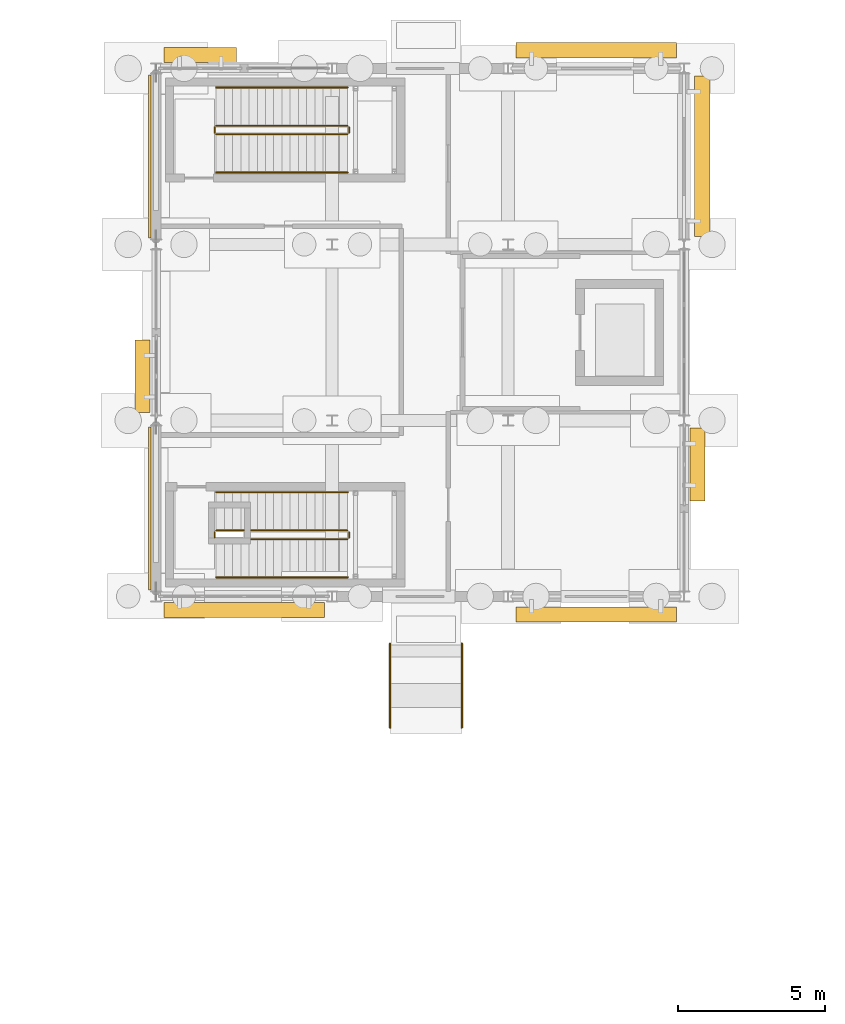
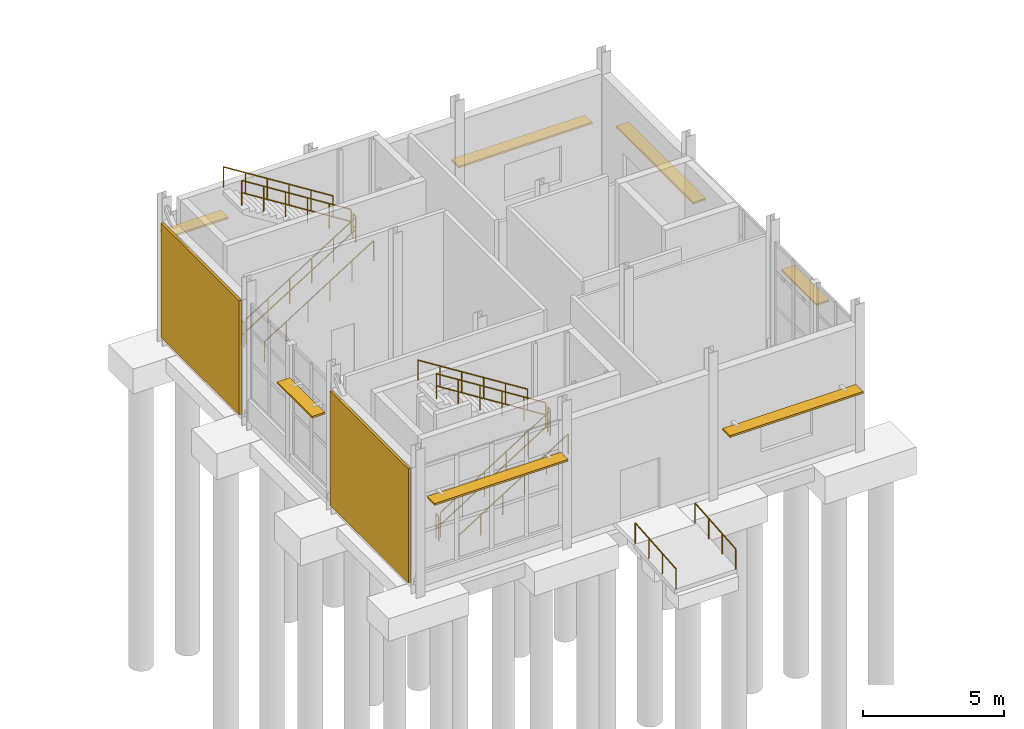
# One storey, part 116 of 120: 14 railings, 7 shading devices, 2 coverings.
"""IFC4 building model written with IfcOpenShell, lengths in metres."""

from ifc_helpers import new_model, si_unit, direction, frame, origin, origin_2d, place, context, subcontext, project, spatial, rectangle, circle, extrude, material, layer, layer_set, type_object, element, save


model = new_model("IFC4")

# Units and contexts
model_context = context("Model", 3, precision=1e-05, world=origin(), true_north=direction((0.0, 1.0)))
body_context = subcontext(model_context, "Body", "Model", "MODEL_VIEW")
ifc_project = project(units=[si_unit("LENGTHUNIT", "METRE"), si_unit("AREAUNIT", "SQUARE_METRE"), si_unit("VOLUMEUNIT", "CUBIC_METRE"), si_unit("PLANEANGLEUNIT", "RADIAN"), si_unit("MASSUNIT", "GRAM", prefix="KILO")], contexts=[model_context])

# Site, building, storey
site_placement = place(None, origin())
site = spatial("IfcSite", under=ifc_project, at=site_placement, CompositionType="ELEMENT")
building_placement = place(site_placement, origin())
building = spatial("IfcBuilding", under=site, at=building_placement, Name="Siltcreek Boulevard Central Fire Station", CompositionType="ELEMENT")
storey_placement = place(building_placement, origin())
storey = spatial("IfcBuildingStorey", under=building, at=storey_placement, Name="L01", CompositionType="ELEMENT", Elevation=0.0)

# Coverings
ifc_material_1 = material(Name="Sandblasted terracotta red brick veneer", Category="masonry")
ifc_layer_1 = layer(ifc_material_1, 0.090087890625, Name="Sandblasted terracotta red brick veneer")
ifc_layer_set_1 = layer_set([ifc_layer_1], Name="Sandblasted terracotta red brick veneer")
covering_type = type_object("IfcCoveringType", Name="COV_CLAD_BRICK", PredefinedType="CLADDING", material=ifc_layer_set_1)
for number, where, z_axis, x_axis, name in (
    (1, (41.781982421875, 97.199951171875, 0.0498046875), (0.0, 0.0, 1.0), (0.0, -1.0, 0.0), "L01 V3 ventilated facade cladding panel CL-008"),
    (2, (41.781982421875, 109.199951171875, 0.0498046875), (0.0, 0.0, 1.0), (0.0, -1.0, 0.0), "L01 V3 ventilated facade cladding panel CL-009"),
):
    element("IfcCovering", number, at=place(storey_placement, frame(where, z_axis=z_axis, x_axis=x_axis)), inside=storey, type_object=covering_type, Name=name, PredefinedType="CLADDING", context=body_context, shape_type="SweptSolid", body=[
        extrude(rectangle(XDim=5.550048828125, YDim=0.090087890625, at=origin_2d()), origin(), (0.0, 0.0, 1.0), 4.944091796875),
    ])

# Railings
ifc_material_2 = material(Name="Painted galvanized steel stair guard", Category="steel")
railing_type_1 = type_object("IfcRailingType", Name="RL_ST_GUARD", PredefinedType="BALUSTRADE", material=ifc_material_2)
railing_1_placement = place(storey_placement, frame((44.050048828125, 96.14990234375, 0.176513671875)))
element("IfcRailing", 3, at=railing_1_placement, inside=storey, type_object=railing_type_1, Name="L01 ST-V3A stair guard 1", PredefinedType="BALUSTRADE", context=body_context, shape_type="SweptSolid", body=[
    extrude(circle(Radius=0.02392578125, at=origin_2d()), frame((0.0, 0.0, 1.076171875), z_axis=(0.845997938375, 0.0, 0.533186166611), x_axis=(0.0, 1.0, 0.0)), (0.0, 0.0, 1.0), 5.29541015625),
    extrude(circle(Radius=0.02392578125, at=origin_2d()), frame((0.0, 0.0, 0.550048828125), z_axis=(0.845997938375, 0.0, 0.533186166611), x_axis=(0.0, 1.0, 0.0)), (0.0, 0.0, 1.0), 5.29541015625),
    extrude(circle(Radius=0.02099609375, at=origin_2d()), origin(), (0.0, 0.0, 1.0), 1.052001953125),
    extrude(circle(Radius=0.02099609375, at=origin_2d()), frame((0.89599609375, 0.0, 0.564697265625)), (0.0, 0.0, 1.0), 1.052001953125),
    extrude(circle(Radius=0.02099609375, at=origin_2d()), frame((1.7919921875, 0.0, 1.12939453125)), (0.0, 0.0, 1.0), 1.052001953125),
    extrude(circle(Radius=0.02099609375, at=origin_2d()), frame((2.68798828125, 0.0, 1.694091796875)), (0.0, 0.0, 1.0), 1.052001953125),
    extrude(circle(Radius=0.02099609375, at=origin_2d()), frame((3.583984375, 0.0, 2.2587890625)), (0.0, 0.0, 1.0), 1.052001953125),
    extrude(circle(Radius=0.02099609375, at=origin_2d()), frame((4.47998046875, 0.0, 2.823486328125)), (0.0, 0.0, 1.0), 1.052001953125),
])
railing_2_placement = place(storey_placement, frame((48.580078125, 96.199951171875, 3.0)))
element("IfcRailing", 4, at=railing_2_placement, inside=storey, type_object=railing_type_1, Name="L01 ST-V3A stair guard 2", PredefinedType="BALUSTRADE", context=body_context, shape_type="SweptSolid", body=[
    extrude(circle(Radius=0.02392578125, at=origin_2d()), frame((0.0, 0.0, 1.076171875), z_axis=(0.0, 1.0, 0.0), x_axis=(-1.0, 0.0, 0.0)), (0.0, 0.0, 1.0), 0.199951171875),
    extrude(circle(Radius=0.02392578125, at=origin_2d()), frame((0.0, 0.0, 0.550048828125), z_axis=(0.0, 1.0, 0.0), x_axis=(-1.0, 0.0, 0.0)), (0.0, 0.0, 1.0), 0.199951171875),
    extrude(circle(Radius=0.02099609375, at=origin_2d()), origin(), (0.0, 0.0, 1.0), 1.052001953125),
    extrude(circle(Radius=0.02099609375, at=origin_2d()), frame((0.0, 0.199951171875, 0.0)), (0.0, 0.0, 1.0), 1.052001953125),
])
railing_3_placement = place(storey_placement, frame((48.530029296875, 96.449951171875, 3.176513671875)))
element("IfcRailing", 5, at=railing_3_placement, inside=storey, type_object=railing_type_1, Name="L01 ST-V3A stair guard 3", PredefinedType="BALUSTRADE", context=body_context, shape_type="SweptSolid", body=[
    extrude(circle(Radius=0.02392578125, at=origin_2d()), frame((0.0, 0.0, 1.076171875), z_axis=(-0.845997938375, 0.0, 0.533186166611), x_axis=(0.0, -1.0, 0.0)), (0.0, 0.0, 1.0), 5.29541015625),
    extrude(circle(Radius=0.02392578125, at=origin_2d()), frame((0.0, 0.0, 0.550048828125), z_axis=(-0.845997938375, 0.0, 0.533186166611), x_axis=(0.0, -1.0, 0.0)), (0.0, 0.0, 1.0), 5.29541015625),
    extrude(circle(Radius=0.02099609375, at=origin_2d()), origin(), (0.0, 0.0, 1.0), 1.052001953125),
    extrude(circle(Radius=0.02099609375, at=origin_2d()), frame((-0.89599609375, 0.0, 0.564697265625)), (0.0, 0.0, 1.0), 1.052001953125),
    extrude(circle(Radius=0.02099609375, at=origin_2d()), frame((-1.7919921875, 0.0, 1.12939453125)), (0.0, 0.0, 1.0), 1.052001953125),
    extrude(circle(Radius=0.02099609375, at=origin_2d()), frame((-2.68798828125, 0.0, 1.694091796875)), (0.0, 0.0, 1.0), 1.052001953125),
    extrude(circle(Radius=0.02099609375, at=origin_2d()), frame((-3.583984375, 0.0, 2.2587890625)), (0.0, 0.0, 1.0), 1.052001953125),
    extrude(circle(Radius=0.02099609375, at=origin_2d()), frame((-4.47998046875, 0.0, 2.823486328125)), (0.0, 0.0, 1.0), 1.052001953125),
])
railing_4_placement = place(storey_placement, frame((44.0, 96.199951171875, 0.0)))
element("IfcRailing", 6, at=railing_4_placement, inside=storey, type_object=railing_type_1, Name="L01 ST-V3A stair guard 4", PredefinedType="BALUSTRADE", context=body_context, shape_type="SweptSolid", body=[
    extrude(circle(Radius=0.02392578125, at=origin_2d()), frame((0.0, 0.0, 1.076171875), z_axis=(0.0, 1.0, 0.0), x_axis=(-1.0, 0.0, 0.0)), (0.0, 0.0, 1.0), 0.199951171875),
    extrude(circle(Radius=0.02392578125, at=origin_2d()), frame((0.0, 0.0, 0.550048828125), z_axis=(0.0, 1.0, 0.0), x_axis=(-1.0, 0.0, 0.0)), (0.0, 0.0, 1.0), 0.199951171875),
    extrude(circle(Radius=0.02099609375, at=origin_2d()), origin(), (0.0, 0.0, 1.0), 1.052001953125),
    extrude(circle(Radius=0.02099609375, at=origin_2d()), frame((0.0, 0.199951171875, 0.0)), (0.0, 0.0, 1.0), 1.052001953125),
])
railing_5_placement = place(storey_placement, frame((44.050048828125, 109.949951171875, 0.176513671875)))
element("IfcRailing", 7, at=railing_5_placement, inside=storey, type_object=railing_type_1, Name="L01 ST-V3B stair guard 1", PredefinedType="BALUSTRADE", context=body_context, shape_type="SweptSolid", body=[
    extrude(circle(Radius=0.02392578125, at=origin_2d()), frame((0.0, 0.0, 1.076171875), z_axis=(0.845997938375, 0.0, 0.533186166611), x_axis=(0.0, 1.0, 0.0)), (0.0, 0.0, 1.0), 5.29541015625),
    extrude(circle(Radius=0.02392578125, at=origin_2d()), frame((0.0, 0.0, 0.550048828125), z_axis=(0.845997938375, 0.0, 0.533186166611), x_axis=(0.0, 1.0, 0.0)), (0.0, 0.0, 1.0), 5.29541015625),
    extrude(circle(Radius=0.02099609375, at=origin_2d()), origin(), (0.0, 0.0, 1.0), 1.052001953125),
    extrude(circle(Radius=0.02099609375, at=origin_2d()), frame((0.89599609375, 0.0, 0.564697265625)), (0.0, 0.0, 1.0), 1.052001953125),
    extrude(circle(Radius=0.02099609375, at=origin_2d()), frame((1.7919921875, 0.0, 1.12939453125)), (0.0, 0.0, 1.0), 1.052001953125),
    extrude(circle(Radius=0.02099609375, at=origin_2d()), frame((2.68798828125, 0.0, 1.694091796875)), (0.0, 0.0, 1.0), 1.052001953125),
    extrude(circle(Radius=0.02099609375, at=origin_2d()), frame((3.583984375, 0.0, 2.2587890625)), (0.0, 0.0, 1.0), 1.052001953125),
    extrude(circle(Radius=0.02099609375, at=origin_2d()), frame((4.47998046875, 0.0, 2.823486328125)), (0.0, 0.0, 1.0), 1.052001953125),
])
railing_6_placement = place(storey_placement, frame((48.580078125, 110.0, 3.0)))
element("IfcRailing", 8, at=railing_6_placement, inside=storey, type_object=railing_type_1, Name="L01 ST-V3B stair guard 2", PredefinedType="BALUSTRADE", context=body_context, shape_type="SweptSolid", body=[
    extrude(circle(Radius=0.02392578125, at=origin_2d()), frame((0.0, 0.0, 1.076171875), z_axis=(0.0, 1.0, 0.0), x_axis=(-1.0, 0.0, 0.0)), (0.0, 0.0, 1.0), 0.199951171875),
    extrude(circle(Radius=0.02392578125, at=origin_2d()), frame((0.0, 0.0, 0.550048828125), z_axis=(0.0, 1.0, 0.0), x_axis=(-1.0, 0.0, 0.0)), (0.0, 0.0, 1.0), 0.199951171875),
    extrude(circle(Radius=0.02099609375, at=origin_2d()), origin(), (0.0, 0.0, 1.0), 1.052001953125),
    extrude(circle(Radius=0.02099609375, at=origin_2d()), frame((0.0, 0.199951171875, 0.0)), (0.0, 0.0, 1.0), 1.052001953125),
])
railing_7_placement = place(storey_placement, frame((48.530029296875, 110.25, 3.176513671875)))
element("IfcRailing", 9, at=railing_7_placement, inside=storey, type_object=railing_type_1, Name="L01 ST-V3B stair guard 3", PredefinedType="BALUSTRADE", context=body_context, shape_type="SweptSolid", body=[
    extrude(circle(Radius=0.02392578125, at=origin_2d()), frame((0.0, 0.0, 1.076171875), z_axis=(-0.845997938375, 0.0, 0.533186166611), x_axis=(0.0, -1.0, 0.0)), (0.0, 0.0, 1.0), 5.29541015625),
    extrude(circle(Radius=0.02392578125, at=origin_2d()), frame((0.0, 0.0, 0.550048828125), z_axis=(-0.845997938375, 0.0, 0.533186166611), x_axis=(0.0, -1.0, 0.0)), (0.0, 0.0, 1.0), 5.29541015625),
    extrude(circle(Radius=0.02099609375, at=origin_2d()), origin(), (0.0, 0.0, 1.0), 1.052001953125),
    extrude(circle(Radius=0.02099609375, at=origin_2d()), frame((-0.89599609375, 0.0, 0.564697265625)), (0.0, 0.0, 1.0), 1.052001953125),
    extrude(circle(Radius=0.02099609375, at=origin_2d()), frame((-1.7919921875, 0.0, 1.12939453125)), (0.0, 0.0, 1.0), 1.052001953125),
    extrude(circle(Radius=0.02099609375, at=origin_2d()), frame((-2.68798828125, 0.0, 1.694091796875)), (0.0, 0.0, 1.0), 1.052001953125),
    extrude(circle(Radius=0.02099609375, at=origin_2d()), frame((-3.583984375, 0.0, 2.2587890625)), (0.0, 0.0, 1.0), 1.052001953125),
    extrude(circle(Radius=0.02099609375, at=origin_2d()), frame((-4.47998046875, 0.0, 2.823486328125)), (0.0, 0.0, 1.0), 1.052001953125),
])
railing_8_placement = place(storey_placement, frame((44.0, 110.0, 0.0)))
element("IfcRailing", 10, at=railing_8_placement, inside=storey, type_object=railing_type_1, Name="L01 ST-V3B stair guard 4", PredefinedType="BALUSTRADE", context=body_context, shape_type="SweptSolid", body=[
    extrude(circle(Radius=0.02392578125, at=origin_2d()), frame((0.0, 0.0, 1.076171875), z_axis=(0.0, 1.0, 0.0), x_axis=(-1.0, 0.0, 0.0)), (0.0, 0.0, 1.0), 0.199951171875),
    extrude(circle(Radius=0.02392578125, at=origin_2d()), frame((0.0, 0.0, 0.550048828125), z_axis=(0.0, 1.0, 0.0), x_axis=(-1.0, 0.0, 0.0)), (0.0, 0.0, 1.0), 0.199951171875),
    extrude(circle(Radius=0.02099609375, at=origin_2d()), origin(), (0.0, 0.0, 1.0), 1.052001953125),
    extrude(circle(Radius=0.02099609375, at=origin_2d()), frame((0.0, 0.199951171875, 0.0)), (0.0, 0.0, 1.0), 1.052001953125),
])
ifc_material_3 = material(Name="Brushed stainless steel stair handrail", Category="steel")
railing_type_2 = type_object("IfcRailingType", Name="RL_ST_HAND", PredefinedType="HANDRAIL", material=ifc_material_3)
railing_9_placement = place(storey_placement, frame((44.050048828125, 94.85009765625, 0.176513671875)))
element("IfcRailing", 11, at=railing_9_placement, inside=storey, type_object=railing_type_2, Name="L01 ST-V3A stair handrail 1", PredefinedType="HANDRAIL", context=body_context, shape_type="SweptSolid", body=[
    extrude(circle(Radius=0.02392578125, at=origin_2d()), frame((0.0, 0.0, 0.8759765625), z_axis=(0.845997938375, 0.0, 0.533186166611), x_axis=(0.0, 1.0, 0.0)), (0.0, 0.0, 1.0), 5.29541015625),
    extrude(circle(Radius=0.02099609375, at=origin_2d()), origin(), (0.0, 0.0, 1.0), 0.851806640625),
    extrude(circle(Radius=0.02099609375, at=origin_2d()), frame((0.89599609375, 0.0, 0.564697265625)), (0.0, 0.0, 1.0), 0.851806640625),
    extrude(circle(Radius=0.02099609375, at=origin_2d()), frame((1.7919921875, 0.0, 1.12939453125)), (0.0, 0.0, 1.0), 0.851806640625),
    extrude(circle(Radius=0.02099609375, at=origin_2d()), frame((2.68798828125, 0.0, 1.694091796875)), (0.0, 0.0, 1.0), 0.851806640625),
    extrude(circle(Radius=0.02099609375, at=origin_2d()), frame((3.583984375, 0.0, 2.2587890625)), (0.0, 0.0, 1.0), 0.851806640625),
    extrude(circle(Radius=0.02099609375, at=origin_2d()), frame((4.47998046875, 0.0, 2.823486328125)), (0.0, 0.0, 1.0), 0.851806640625),
])
railing_10_placement = place(storey_placement, frame((48.530029296875, 97.75, 3.176513671875)))
element("IfcRailing", 12, at=railing_10_placement, inside=storey, type_object=railing_type_2, Name="L01 ST-V3A stair handrail 2", PredefinedType="HANDRAIL", context=body_context, shape_type="SweptSolid", body=[
    extrude(circle(Radius=0.02392578125, at=origin_2d()), frame((0.0, 0.0, 0.8759765625), z_axis=(-0.845997938375, 0.0, 0.533186166611), x_axis=(0.0, -1.0, 0.0)), (0.0, 0.0, 1.0), 5.29541015625),
    extrude(circle(Radius=0.02099609375, at=origin_2d()), origin(), (0.0, 0.0, 1.0), 0.851806640625),
    extrude(circle(Radius=0.02099609375, at=origin_2d()), frame((-0.89599609375, 0.0, 0.564697265625)), (0.0, 0.0, 1.0), 0.851806640625),
    extrude(circle(Radius=0.02099609375, at=origin_2d()), frame((-1.7919921875, 0.0, 1.12939453125)), (0.0, 0.0, 1.0), 0.851806640625),
    extrude(circle(Radius=0.02099609375, at=origin_2d()), frame((-2.68798828125, 0.0, 1.694091796875)), (0.0, 0.0, 1.0), 0.851806640625),
    extrude(circle(Radius=0.02099609375, at=origin_2d()), frame((-3.583984375, 0.0, 2.2587890625)), (0.0, 0.0, 1.0), 0.851806640625),
    extrude(circle(Radius=0.02099609375, at=origin_2d()), frame((-4.47998046875, 0.0, 2.823486328125)), (0.0, 0.0, 1.0), 0.851806640625),
])
railing_11_placement = place(storey_placement, frame((44.050048828125, 108.64990234375, 0.176513671875)))
element("IfcRailing", 13, at=railing_11_placement, inside=storey, type_object=railing_type_2, Name="L01 ST-V3B stair handrail 1", PredefinedType="HANDRAIL", context=body_context, shape_type="SweptSolid", body=[
    extrude(circle(Radius=0.02392578125, at=origin_2d()), frame((0.0, 0.0, 0.8759765625), z_axis=(0.845997938375, 0.0, 0.533186166611), x_axis=(0.0, 1.0, 0.0)), (0.0, 0.0, 1.0), 5.29541015625),
    extrude(circle(Radius=0.02099609375, at=origin_2d()), origin(), (0.0, 0.0, 1.0), 0.851806640625),
    extrude(circle(Radius=0.02099609375, at=origin_2d()), frame((0.89599609375, 0.0, 0.564697265625)), (0.0, 0.0, 1.0), 0.851806640625),
    extrude(circle(Radius=0.02099609375, at=origin_2d()), frame((1.7919921875, 0.0, 1.12939453125)), (0.0, 0.0, 1.0), 0.851806640625),
    extrude(circle(Radius=0.02099609375, at=origin_2d()), frame((2.68798828125, 0.0, 1.694091796875)), (0.0, 0.0, 1.0), 0.851806640625),
    extrude(circle(Radius=0.02099609375, at=origin_2d()), frame((3.583984375, 0.0, 2.2587890625)), (0.0, 0.0, 1.0), 0.851806640625),
    extrude(circle(Radius=0.02099609375, at=origin_2d()), frame((4.47998046875, 0.0, 2.823486328125)), (0.0, 0.0, 1.0), 0.851806640625),
])
railing_12_placement = place(storey_placement, frame((48.530029296875, 111.550048828125, 3.176513671875)))
element("IfcRailing", 14, at=railing_12_placement, inside=storey, type_object=railing_type_2, Name="L01 ST-V3B stair handrail 2", PredefinedType="HANDRAIL", context=body_context, shape_type="SweptSolid", body=[
    extrude(circle(Radius=0.02392578125, at=origin_2d()), frame((0.0, 0.0, 0.8759765625), z_axis=(-0.845997938375, 0.0, 0.533186166611), x_axis=(0.0, -1.0, 0.0)), (0.0, 0.0, 1.0), 5.29541015625),
    extrude(circle(Radius=0.02099609375, at=origin_2d()), origin(), (0.0, 0.0, 1.0), 0.851806640625),
    extrude(circle(Radius=0.02099609375, at=origin_2d()), frame((-0.89599609375, 0.0, 0.564697265625)), (0.0, 0.0, 1.0), 0.851806640625),
    extrude(circle(Radius=0.02099609375, at=origin_2d()), frame((-1.7919921875, 0.0, 1.12939453125)), (0.0, 0.0, 1.0), 0.851806640625),
    extrude(circle(Radius=0.02099609375, at=origin_2d()), frame((-2.68798828125, 0.0, 1.694091796875)), (0.0, 0.0, 1.0), 0.851806640625),
    extrude(circle(Radius=0.02099609375, at=origin_2d()), frame((-3.583984375, 0.0, 2.2587890625)), (0.0, 0.0, 1.0), 0.851806640625),
    extrude(circle(Radius=0.02099609375, at=origin_2d()), frame((-4.47998046875, 0.0, 2.823486328125)), (0.0, 0.0, 1.0), 0.851806640625),
])
for number, where, name in (
    (15, (49.97509765625, 89.719970703125, -0.239990234375), "Accessible ramp RM-06 handrail L"),
    (16, (52.425048828125, 89.719970703125, -0.239990234375), "Accessible ramp RM-06 handrail R"),
):
    element("IfcRailing", number, at=place(storey_placement, frame(where)), inside=storey, type_object=railing_type_2, Name=name, PredefinedType="HANDRAIL", context=body_context, shape_type="SweptSolid", body=[
        extrude(circle(Radius=0.02392578125, at=origin_2d()), frame((0.0, 0.0, 0.8759765625), z_axis=(0.0, 0.996546340804, 0.083038488854), x_axis=(-1.0, 0.0, 0.0)), (0.0, 0.0, 1.0), 2.89013671875),
        extrude(circle(Radius=0.02099609375, at=origin_2d()), origin(), (0.0, 0.0, 1.0), 0.851806640625),
        extrude(circle(Radius=0.02099609375, at=origin_2d()), frame((0.0, 0.9599609375, 0.080078125)), (0.0, 0.0, 1.0), 0.851806640625),
        extrude(circle(Radius=0.02099609375, at=origin_2d()), frame((0.0, 1.920166015625, 0.159912109375)), (0.0, 0.0, 1.0), 0.851806640625),
        extrude(circle(Radius=0.02099609375, at=origin_2d()), frame((0.0, 2.880126953125, 0.239990234375)), (0.0, 0.0, 1.0), 0.851806640625),
    ])

# Shading devices
ifc_material_4 = material(Name="Frey sage-green anodized tubular aluminum sunshade", Category="aluminium")
ifc_layer_2 = layer(ifc_material_4, 0.080078125, Name="Frey sage-green anodized tubular aluminum sunshade")
ifc_layer_set_2 = layer_set([ifc_layer_2], Name="Frey sage-green anodized tubular aluminum sunshade")
shading_device_type = type_object("IfcShadingDeviceType", Name="SHD_BRISE", PredefinedType="USERDEFINED", material=ifc_layer_set_2)
for number, where, z_axis, x_axis, name in (
    (17, (45.0, 93.739990234375, 3.798095703125), (0.0, 0.0, 1.0), (1.0, 0.0, 0.0), "Anodized tubular aluminum brise-soleil SS-026"),
    (18, (57.0, 93.5849609375, 2.6298828125), (0.0, 0.0, 1.0), (1.0, 0.0, 0.0), "Anodized tubular aluminum brise-soleil SS-027"),
):
    element("IfcShadingDevice", number, at=place(storey_placement, frame(where, z_axis=z_axis, x_axis=x_axis)), inside=storey, type_object=shading_device_type, Name=name, ObjectType="SUNSHADE", PredefinedType="USERDEFINED", context=body_context, shape_type="SweptSolid", body=[
        extrude(rectangle(XDim=5.469970703125, YDim=0.52001953125, at=origin_2d()), origin(), (0.0, 0.0, 1.0), 0.080078125),
    ])
shading_device_1_placement = place(storey_placement, frame((43.50244140625, 112.659912109375, 3.865478515625), z_axis=(0.0, 0.0, 1.0), x_axis=(-1.0, 0.0, 0.0)))
element("IfcShadingDevice", 19, at=shading_device_1_placement, inside=storey, type_object=shading_device_type, Name="Anodized tubular aluminum brise-soleil SS-028", ObjectType="SUNSHADE", PredefinedType="USERDEFINED", context=body_context, shape_type="SweptSolid", body=[
    extrude(rectangle(XDim=2.47509765625, YDim=0.52001953125, at=origin_2d()), origin(), (0.0, 0.0, 1.0), 0.080078125),
])
shading_device_2_placement = place(storey_placement, frame((57.0, 112.81494140625, 2.6298828125), z_axis=(0.0, 0.0, 1.0), x_axis=(-1.0, 0.0, 0.0)))
element("IfcShadingDevice", 20, at=shading_device_2_placement, inside=storey, type_object=shading_device_type, Name="Anodized tubular aluminum brise-soleil SS-029", ObjectType="SUNSHADE", PredefinedType="USERDEFINED", context=body_context, shape_type="SweptSolid", body=[
    extrude(rectangle(XDim=5.469970703125, YDim=0.52001953125, at=origin_2d()), origin(), (0.0, 0.0, 1.0), 0.080078125),
])
for number, where, z_axis, x_axis, name in (
    (21, (41.5400390625, 101.702392578125, 3.68115234375), (0.0, 0.0, 1.0), (0.0, -1.0, 0.0), "Anodized tubular aluminum brise-soleil SS-030"),
    (22, (60.4599609375, 98.697509765625, 3.74853515625), (0.0, 0.0, 1.0), (0.0, 1.0, 0.0), "Anodized tubular aluminum brise-soleil SS-031"),
):
    element("IfcShadingDevice", number, at=place(storey_placement, frame(where, z_axis=z_axis, x_axis=x_axis)), inside=storey, type_object=shading_device_type, Name=name, ObjectType="SUNSHADE", PredefinedType="USERDEFINED", context=body_context, shape_type="SweptSolid", body=[
        extrude(rectangle(XDim=2.47509765625, YDim=0.52001953125, at=origin_2d()), origin(), (0.0, 0.0, 1.0), 0.080078125),
    ])
shading_device_3_placement = place(storey_placement, frame((60.614990234375, 109.199951171875, 2.6298828125), z_axis=(0.0, 0.0, 1.0), x_axis=(0.0, 1.0, 0.0)))
element("IfcShadingDevice", 23, at=shading_device_3_placement, inside=storey, type_object=shading_device_type, Name="Anodized tubular aluminum brise-soleil SS-032", ObjectType="SUNSHADE", PredefinedType="USERDEFINED", context=body_context, shape_type="SweptSolid", body=[
    extrude(rectangle(XDim=5.469970703125, YDim=0.52001953125, at=origin_2d()), origin(), (0.0, 0.0, 1.0), 0.080078125),
])

save(model, "model.ifc")
